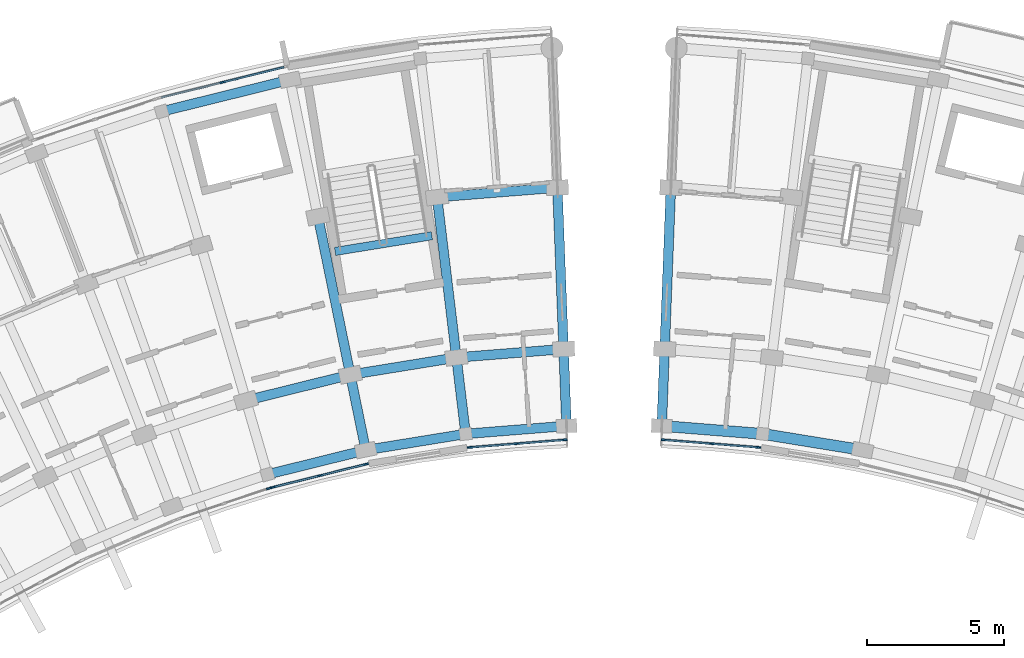
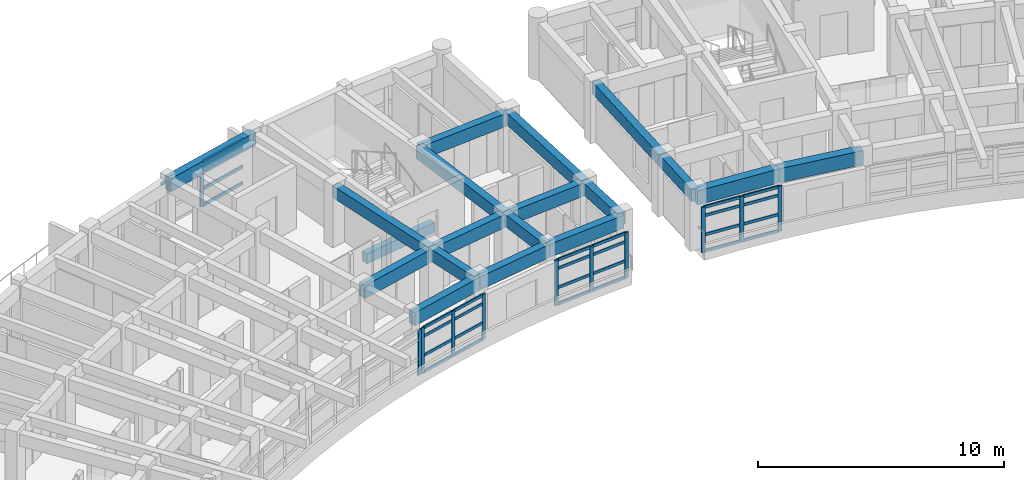
# One storey, part 6 of 55: 40 members, 19 beams, 5 elements without a shape of their own.
"""IFC4 building model written with IfcOpenShell, lengths in metres."""

from ifc_helpers import new_model, si_unit, direction, frame, origin, origin_2d, place, context, subcontext, project, spatial, rectangle, extrude, material, material_profile, profile_set, type_object, element, aggregate, save


model = new_model("IFC4")

# Units and contexts
model_context = context("Model", 3, precision=1e-05, world=origin(), true_north=direction((0.0, 1.0)))
body_context = subcontext(model_context, "Body", "Model", "MODEL_VIEW")
ifc_project = project(units=[si_unit("LENGTHUNIT", "METRE"), si_unit("AREAUNIT", "SQUARE_METRE"), si_unit("VOLUMEUNIT", "CUBIC_METRE"), si_unit("PLANEANGLEUNIT", "RADIAN"), si_unit("MASSUNIT", "GRAM", prefix="KILO")], contexts=[model_context])

# Site, building, storey
site_placement = place(None, origin())
site = spatial("IfcSite", under=ifc_project, at=site_placement, CompositionType="ELEMENT")
building_placement = place(site_placement, origin())
building = spatial("IfcBuilding", under=site, at=building_placement, Name="Zimvara Arc Housing Community", CompositionType="ELEMENT")
storey_placement = place(building_placement, frame((0.0, 0.0, 14.300048828125)))
storey = spatial("IfcBuildingStorey", under=building, at=storey_placement, Name="L04", CompositionType="ELEMENT", Elevation=14.300048828125)

# Beams
ifc_material_1 = material(Name="Concrete C40/50", Category="concrete")
ifc_material_profile_1 = material_profile(ifc_material_1, rectangle(XDim=0.300048828125, YDim=0.5, at=origin_2d()), Name="RC 300x500")
ifc_profile_set_1 = profile_set([ifc_material_profile_1], Name="Concrete C40/50")
beam_type_1 = type_object("IfcBeamType", Name="BM-RC-300x500", PredefinedType="BEAM", material=ifc_profile_set_1)
beam_1_placement = place(storey_placement, frame((38.3662109375, 96.509033203125, -0.25), z_axis=(-0.987080057935, -0.160227835371, 0.0), x_axis=(0.160227835371, -0.987080057935, 0.0)))
element("IfcBeam", 1, at=beam_1_placement, inside=storey, type_object=beam_type_1, Name="bm:stair_trim:ST-A2:L04:near", PredefinedType="BEAM", context=body_context, shape_type="SweptSolid", body=[
    extrude(rectangle(XDim=0.300048828125, YDim=0.5, at=origin_2d()), origin(), (0.0, 0.0, 1.0), 3.570068359375),
])
ifc_material_2 = material(Name="Concrete C40/50", Category="concrete")
ifc_material_profile_2 = material_profile(ifc_material_2, rectangle(XDim=0.35009765625, YDim=0.60009765625, at=origin_2d()), Name="RC 350x600")
ifc_profile_set_2 = profile_set([ifc_material_profile_2], Name="Concrete C40/50")
beam_type_2 = type_object("IfcBeamType", Name="BM-RC-350x600", PredefinedType="BEAM", material=ifc_profile_set_2)
beam_2_placement = place(storey_placement, frame((35.958251953125, 88.704833984375, 2.56005859375), z_axis=(-0.20037341071, 0.979719600845, 0.0), x_axis=(-0.979719600845, -0.20037341071, 0.0)))
element("IfcBeam", 2, at=beam_2_placement, inside=storey, type_object=beam_type_2, Name="bm:blkA:L04:rad:b8:r01", PredefinedType="BEAM", context=body_context, shape_type="SweptSolid", body=[
    extrude(rectangle(XDim=0.35009765625, YDim=0.60009765625, at=origin_2d()), origin(), (0.0, 0.0, 1.0), 2.800048828125),
])
beam_3_placement = place(storey_placement, frame((35.397216796875, 91.447998046875, 2.56005859375), z_axis=(-0.200417973989, 0.979710485655, 0.0), x_axis=(-0.979710485655, -0.200417973989, 0.0)))
element("IfcBeam", 3, at=beam_3_placement, inside=storey, type_object=beam_type_2, Name="bm:blkA:L04:rad:b8:r12", PredefinedType="BEAM", context=body_context, shape_type="SweptSolid", body=[
    extrude(rectangle(XDim=0.35009765625, YDim=0.60009765625, at=origin_2d()), origin(), (0.0, 0.0, 1.0), 5.880126953125),
])
beam_4_placement = place(storey_placement, frame((39.594970703125, 89.295166015625, 2.56005859375), z_axis=(-0.119719398078, 0.992807768767, 0.0), x_axis=(-0.992807768767, -0.119719398078, 0.0)))
element("IfcBeam", 4, at=beam_4_placement, inside=storey, type_object=beam_type_2, Name="bm:blkA:L04:rad:b9:r01", PredefinedType="BEAM", context=body_context, shape_type="SweptSolid", body=[
    extrude(rectangle(XDim=0.35009765625, YDim=0.60009765625, at=origin_2d()), origin(), (0.0, 0.0, 1.0), 2.7998046875),
])
beam_5_placement = place(storey_placement, frame((39.259765625, 92.074951171875, 2.56005859375), z_axis=(-0.119827921695, 0.992794676246, 0.0), x_axis=(-0.992794676246, -0.119827921695, 0.0)))
element("IfcBeam", 5, at=beam_5_placement, inside=storey, type_object=beam_type_2, Name="bm:blkA:L04:rad:b9:r12", PredefinedType="BEAM", context=body_context, shape_type="SweptSolid", body=[
    extrude(rectangle(XDim=0.35009765625, YDim=0.60009765625, at=origin_2d()), origin(), (0.0, 0.0, 1.0), 5.880126953125),
])
beam_6_placement = place(storey_placement, frame((43.267822265625, 89.586669921875, 2.56005859375), z_axis=(-0.038362804793, 0.999263876665, 0.0), x_axis=(-0.999263876665, -0.038362804793, 0.0)))
element("IfcBeam", 6, at=beam_6_placement, inside=storey, type_object=beam_type_2, Name="bm:blkA:L04:rad:b10:r01", PredefinedType="BEAM", context=body_context, shape_type="SweptSolid", body=[
    extrude(rectangle(XDim=0.35009765625, YDim=0.60009765625, at=origin_2d()), origin(), (0.0, 0.0, 1.0), 2.800048828125),
])
beam_7_placement = place(storey_placement, frame((43.160400390625, 92.384765625, 2.56005859375), z_axis=(-0.038366147405, 0.999263748333, 0.0), x_axis=(-0.999263748333, -0.038366147405, 0.0)))
element("IfcBeam", 7, at=beam_7_placement, inside=storey, type_object=beam_type_2, Name="bm:blkA:L04:rad:b10:r12", PredefinedType="BEAM", context=body_context, shape_type="SweptSolid", body=[
    extrude(rectangle(XDim=0.35009765625, YDim=0.60009765625, at=origin_2d()), origin(), (0.0, 0.0, 1.0), 5.8798828125),
])
beam_8_placement = place(storey_placement, frame((46.732177734375, 89.586669921875, 2.56005859375), z_axis=(0.038362804793, 0.999263876665, 0.0), x_axis=(-0.999263876665, 0.038362804793, 0.0)))
element("IfcBeam", 8, at=beam_8_placement, inside=storey, type_object=beam_type_2, Name="bm:blkB:L04:rad:b0:r01", PredefinedType="BEAM", context=body_context, shape_type="SweptSolid", body=[
    extrude(rectangle(XDim=0.35009765625, YDim=0.60009765625, at=origin_2d()), origin(), (0.0, 0.0, 1.0), 2.800048828125),
])
beam_9_placement = place(storey_placement, frame((46.839599609375, 92.384765625, 2.56005859375), z_axis=(0.038366147405, 0.999263748333, 0.0), x_axis=(-0.999263748333, 0.038366147405, 0.0)))
element("IfcBeam", 9, at=beam_9_placement, inside=storey, type_object=beam_type_2, Name="bm:blkB:L04:rad:b0:r12", PredefinedType="BEAM", context=body_context, shape_type="SweptSolid", body=[
    extrude(rectangle(XDim=0.35009765625, YDim=0.60009765625, at=origin_2d()), origin(), (0.0, 0.0, 1.0), 5.8798828125),
])
ifc_material_3 = material(Name="Concrete C40/50", Category="concrete")
ifc_material_profile_3 = material_profile(ifc_material_3, rectangle(XDim=0.35009765625, YDim=0.64990234375, at=origin_2d()), Name="RC 350x650")
ifc_profile_set_3 = profile_set([ifc_material_profile_3], Name="Concrete C40/50")
beam_type_3 = type_object("IfcBeamType", Name="BM-RC-350x650", PredefinedType="BEAM", material=ifc_profile_set_3)
beam_10_placement = place(storey_placement, frame((32.381591796875, 87.819580078125, 2.534912109375), z_axis=(0.970708886215, 0.240258731837, 0.0), x_axis=(-0.240258731837, 0.970708886215, 0.0)))
element("IfcBeam", 10, at=beam_10_placement, inside=storey, type_object=beam_type_3, Name="bm:blkA:L04:chord:r0:b7", PredefinedType="BEAM", context=body_context, shape_type="SweptSolid", body=[
    extrude(rectangle(XDim=0.35009765625, YDim=0.64990234375, at=origin_2d()), origin(), (0.0, 0.0, 1.0), 3.6845703125),
])
for number, where, z_axis, x_axis, name in (
    (11, (35.958251953125, 88.704833984375, 2.534912109375), (0.987079996944, 0.160228211104, 0.0), (-0.160228211104, 0.987079996944, 0.0), "bm:blkA:L04:chord:r0:b8"),
    (12, (39.594970703125, 89.295166015625, 2.534912109375), (0.996865226667, 0.079118391428, 0.0), (-0.079118391428, 0.996865226667, 0.0), "bm:blkA:L04:chord:r0:b9"),
):
    element("IfcBeam", number, at=place(storey_placement, frame(where, z_axis=z_axis, x_axis=x_axis)), inside=storey, type_object=beam_type_3, Name=name, PredefinedType="BEAM", context=body_context, shape_type="SweptSolid", body=[
        extrude(rectangle(XDim=0.35009765625, YDim=0.64990234375, at=origin_2d()), origin(), (0.0, 0.0, 1.0), 3.684326171875),
    ])
for number, where, z_axis, x_axis, name in (
    (13, (31.5986328125, 90.5078125, 2.534912109375), (0.970708671682, 0.240259598602, 0.0), (-0.240259598602, 0.970708671682, 0.0), "bm:blkA:L04:chord:r1:b7"),
    (14, (35.397216796875, 91.447998046875, 2.534912109375), (0.987081487371, 0.160219029111, 0.0), (-0.160219029111, 0.987081487371, 0.0), "bm:blkA:L04:chord:r1:b8"),
):
    element("IfcBeam", number, at=place(storey_placement, frame(where, z_axis=z_axis, x_axis=x_axis)), inside=storey, type_object=beam_type_3, Name=name, PredefinedType="BEAM", context=body_context, shape_type="SweptSolid", body=[
        extrude(rectangle(XDim=0.35009765625, YDim=0.64990234375, at=origin_2d()), origin(), (0.0, 0.0, 1.0), 3.9130859375),
    ])
beam_11_placement = place(storey_placement, frame((39.259765625, 92.074951171875, 2.534912109375), z_axis=(0.99686054795, 0.079177319606, 0.0), x_axis=(-0.079177319606, 0.99686054795, 0.0)))
element("IfcBeam", 15, at=beam_11_placement, inside=storey, type_object=beam_type_3, Name="bm:blkA:L04:chord:r1:b9", PredefinedType="BEAM", context=body_context, shape_type="SweptSolid", body=[
    extrude(rectangle(XDim=0.35009765625, YDim=0.64990234375, at=origin_2d()), origin(), (0.0, 0.0, 1.0), 3.912841796875),
])
beam_12_placement = place(storey_placement, frame((38.55517578125, 97.91259765625, 2.534912109375), z_axis=(0.996864209836, 0.079131202119, 0.0), x_axis=(-0.079131202119, 0.996864209836, 0.0)))
element("IfcBeam", 16, at=beam_12_placement, inside=storey, type_object=beam_type_3, Name="bm:blkA:L04:chord:r2:b9", PredefinedType="BEAM", context=body_context, shape_type="SweptSolid", body=[
    extrude(rectangle(XDim=0.35009765625, YDim=0.64990234375, at=origin_2d()), origin(), (0.0, 0.0, 1.0), 4.393310546875),
])
beam_13_placement = place(storey_placement, frame((28.533447265625, 101.030517578125, 2.534912109375), z_axis=(0.970716235341, 0.240229037474, 0.0), x_axis=(-0.240229037474, 0.970716235341, 0.0)))
element("IfcBeam", 17, at=beam_13_placement, inside=storey, type_object=beam_type_3, Name="bm:blkA:L04:chord:r3:b7", PredefinedType="BEAM", context=body_context, shape_type="SweptSolid", body=[
    extrude(rectangle(XDim=0.35009765625, YDim=0.64990234375, at=origin_2d()), origin(), (0.0, 0.0, 1.0), 4.80810546875),
])
ifc_material_4 = material(Name="Concrete C40/50", Category="concrete")
ifc_material_profile_4 = material_profile(ifc_material_4, rectangle(XDim=0.39990234375, YDim=0.699951171875, at=origin_2d()), Name="RC 400x700")
ifc_profile_set_4 = profile_set([ifc_material_profile_4], Name="Concrete C40/50")
beam_type_4 = type_object("IfcBeamType", Name="BM-RC-400x700", PredefinedType="BEAM", material=ifc_profile_set_4)
for number, where, z_axis, x_axis, name in (
    (18, (46.732177734375, 89.586669921875, 2.510009765625), (0.996865226667, -0.079118391428, 0.0), (0.079118391428, 0.996865226667, 0.0), "bm:blkB:L04:chord:r0:b0"),
    (19, (50.405029296875, 89.295166015625, 2.510009765625), (0.987079996944, -0.160228211104, 0.0), (0.160228211104, 0.987079996944, 0.0), "bm:blkB:L04:chord:r0:b1"),
):
    element("IfcBeam", number, at=place(storey_placement, frame(where, z_axis=z_axis, x_axis=x_axis)), inside=storey, type_object=beam_type_4, Name=name, PredefinedType="BEAM", context=body_context, shape_type="SweptSolid", body=[
        extrude(rectangle(XDim=0.39990234375, YDim=0.699951171875, at=origin_2d()), origin(), (0.0, 0.0, 1.0), 3.684326171875),
    ])

# Curtain wall, member
ifc_material_5 = material(Name="Anodised Aluminium AW-6063", Category="aluminium")
curtain_wall_type_1 = type_object("IfcCurtainWallType", Name="CW-SYS-06", PredefinedType="USERDEFINED", material=ifc_material_5)
curtain_wall_1_placement = place(storey_placement, origin())
curtain_wall_1 = element("IfcCurtainWall", 20, at=curtain_wall_1_placement, inside=storey, type_object=curtain_wall_type_1, Name="cw:blkA:L04:in:b6", ObjectType="CURTAIN WALL", PredefinedType="USERDEFINED")
ifc_material_6 = material(Name="Anodised Aluminium AW-6063", Category="aluminium")
ifc_material_profile_5 = material_profile(ifc_material_6, rectangle(XDim=0.06494140625, YDim=0.179931640625, at=origin_2d()), Name="ALU 65x180")
ifc_profile_set_5 = profile_set([ifc_material_profile_5], Name="Anodised Aluminium AW-6063")
member_type_1 = type_object("IfcMemberType", Name="CWM-65x150", PredefinedType="MULLION", material=ifc_profile_set_5)
member_1_placement = place(storey_placement, frame((32.433837890625, 87.31005859375, 0.0), z_axis=(0.0, 0.0, 1.0), x_axis=(-0.318630249383, 0.94787908732, 0.0)))
member_1 = element("IfcMember", 21, at=member_1_placement, type_object=member_type_1, Name="CW06 mullion 3", PredefinedType="MULLION", context=body_context, shape_type="SweptSolid", body=[
    extrude(rectangle(XDim=0.06494140625, YDim=0.179931640625, at=origin_2d()), origin(), (0.0, 0.0, 1.0), 2.25),
])
aggregate(curtain_wall_1, [member_1])

# Curtain wall, members
ifc_material_7 = material(Name="Anodised Aluminium AW-6063", Category="aluminium")
curtain_wall_type_2 = type_object("IfcCurtainWallType", Name="CW-SYS-08", PredefinedType="USERDEFINED", material=ifc_material_7)
curtain_wall_2_placement = place(storey_placement, origin())
curtain_wall_2 = element("IfcCurtainWall", 22, at=curtain_wall_2_placement, inside=storey, type_object=curtain_wall_type_2, Name="cw:blkA:L04:in:b7", ObjectType="CURTAIN WALL", PredefinedType="USERDEFINED")
member_2_placement = place(storey_placement, frame((32.611328125, 87.36181640625, 0.0), z_axis=(0.0, 0.0, 1.0), x_axis=(-0.240227815706, 0.970716537698, 0.0)))
member_2 = element("IfcMember", 23, at=member_2_placement, type_object=member_type_1, Name="CW08 mullion 1", PredefinedType="MULLION", context=body_context, shape_type="SweptSolid", body=[
    extrude(rectangle(XDim=0.06494140625, YDim=0.179931640625, at=origin_2d()), origin(), (0.0, 0.0, 1.0), 2.25),
])
member_3_placement = place(storey_placement, frame((34.2900390625, 87.77734375, 0.0), z_axis=(0.0, 0.0, 1.0), x_axis=(-0.240227815706, 0.970716537698, 0.0)))
member_3 = element("IfcMember", 24, at=member_3_placement, type_object=member_type_1, Name="CW08 mullion 2", PredefinedType="MULLION", context=body_context, shape_type="SweptSolid", body=[
    extrude(rectangle(XDim=0.06494140625, YDim=0.179931640625, at=origin_2d()), origin(), (0.0, 0.0, 1.0), 2.25),
])
member_4_placement = place(storey_placement, frame((35.96875, 88.192626953125, 0.0), z_axis=(0.0, 0.0, 1.0), x_axis=(-0.240227815706, 0.970716537698, 0.0)))
member_4 = element("IfcMember", 25, at=member_4_placement, type_object=member_type_1, Name="CW08 mullion 3", PredefinedType="MULLION", context=body_context, shape_type="SweptSolid", body=[
    extrude(rectangle(XDim=0.06494140625, YDim=0.179931640625, at=origin_2d()), origin(), (0.0, 0.0, 1.0), 2.25),
])

ifc_material_8 = material(Name="Anodised Aluminium AW-6063", Category="aluminium")
curtain_wall_type_3 = type_object("IfcCurtainWallType", Name="CW-SYS-02", PredefinedType="USERDEFINED", material=ifc_material_8)
curtain_wall_3_placement = place(storey_placement, origin())
curtain_wall_3 = element("IfcCurtainWall", 26, at=curtain_wall_3_placement, inside=storey, type_object=curtain_wall_type_3, Name="cw:blkA:L04:in:b9", ObjectType="CURTAIN WALL", PredefinedType="USERDEFINED")
member_5_placement = place(storey_placement, frame((39.7470703125, 88.805908203125, 0.0), z_axis=(0.0, 0.0, 1.0), x_axis=(-0.079154709897, 0.996862343506, 0.0)))
member_5 = element("IfcMember", 27, at=member_5_placement, type_object=member_type_1, Name="CW02 mullion 1", PredefinedType="MULLION", context=body_context, shape_type="SweptSolid", body=[
    extrude(rectangle(XDim=0.06494140625, YDim=0.179931640625, at=origin_2d()), origin(), (0.0, 0.0, 1.0), 2.25),
])
member_6_placement = place(storey_placement, frame((41.470947265625, 88.94287109375, 0.0), z_axis=(0.0, 0.0, 1.0), x_axis=(-0.079154709897, 0.996862343506, 0.0)))
member_6 = element("IfcMember", 28, at=member_6_placement, type_object=member_type_1, Name="CW02 mullion 2", PredefinedType="MULLION", context=body_context, shape_type="SweptSolid", body=[
    extrude(rectangle(XDim=0.06494140625, YDim=0.179931640625, at=origin_2d()), origin(), (0.0, 0.0, 1.0), 2.25),
])
member_7_placement = place(storey_placement, frame((43.19482421875, 89.079833984375, 0.0), z_axis=(0.0, 0.0, 1.0), x_axis=(-0.079154709897, 0.996862343506, 0.0)))
member_7 = element("IfcMember", 29, at=member_7_placement, type_object=member_type_1, Name="CW02 mullion 3", PredefinedType="MULLION", context=body_context, shape_type="SweptSolid", body=[
    extrude(rectangle(XDim=0.06494140625, YDim=0.179931640625, at=origin_2d()), origin(), (0.0, 0.0, 1.0), 2.25),
])

curtain_wall_4_placement = place(storey_placement, origin())
curtain_wall_4 = element("IfcCurtainWall", 30, at=curtain_wall_4_placement, inside=storey, type_object=curtain_wall_type_1, Name="cw:blkB:L04:in:b0", ObjectType="CURTAIN WALL", PredefinedType="USERDEFINED")
member_8_placement = place(storey_placement, frame((46.80517578125, 89.079833984375, 0.0), z_axis=(0.0, 0.0, 1.0), x_axis=(0.079154709897, 0.996862343506, 0.0)))
member_8 = element("IfcMember", 31, at=member_8_placement, type_object=member_type_1, Name="CW06 mullion 1", PredefinedType="MULLION", context=body_context, shape_type="SweptSolid", body=[
    extrude(rectangle(XDim=0.06494140625, YDim=0.179931640625, at=origin_2d()), origin(), (0.0, 0.0, 1.0), 2.25),
])
member_9_placement = place(storey_placement, frame((48.529052734375, 88.94287109375, 0.0), z_axis=(0.0, 0.0, 1.0), x_axis=(0.079154709897, 0.996862343506, 0.0)))
member_9 = element("IfcMember", 32, at=member_9_placement, type_object=member_type_1, Name="CW06 mullion 2", PredefinedType="MULLION", context=body_context, shape_type="SweptSolid", body=[
    extrude(rectangle(XDim=0.06494140625, YDim=0.179931640625, at=origin_2d()), origin(), (0.0, 0.0, 1.0), 2.25),
])
member_10_placement = place(storey_placement, frame((50.2529296875, 88.805908203125, 0.0), z_axis=(0.0, 0.0, 1.0), x_axis=(0.079154709897, 0.996862343506, 0.0)))
member_10 = element("IfcMember", 33, at=member_10_placement, type_object=member_type_1, Name="CW06 mullion 3", PredefinedType="MULLION", context=body_context, shape_type="SweptSolid", body=[
    extrude(rectangle(XDim=0.06494140625, YDim=0.179931640625, at=origin_2d()), origin(), (0.0, 0.0, 1.0), 2.25),
])

# Curtain wall, member
ifc_material_9 = material(Name="Anodised Aluminium AW-6063", Category="aluminium")
curtain_wall_type_4 = type_object("IfcCurtainWallType", Name="CW-SYS-07", PredefinedType="USERDEFINED", material=ifc_material_9)
curtain_wall_5_placement = place(storey_placement, origin())
curtain_wall_5 = element("IfcCurtainWall", 34, at=curtain_wall_5_placement, inside=storey, type_object=curtain_wall_type_4, Name="cw:blkA:L04:out:b7", ObjectType="CURTAIN WALL", PredefinedType="USERDEFINED")
ifc_material_10 = material(Name="Anodised Aluminium AW-6063", Category="aluminium")
ifc_material_profile_6 = material_profile(ifc_material_10, rectangle(XDim=0.06494140625, YDim=0.195068359375, at=origin_2d()), Name="ALU 65x195")
ifc_profile_set_6 = profile_set([ifc_material_profile_6], Name="Anodised Aluminium AW-6063")
member_type_2 = type_object("IfcMemberType", Name="CWM-65x180", PredefinedType="MULLION", material=ifc_profile_set_6)
member_11_placement = place(storey_placement, frame((30.7470703125, 102.093017578125, 0.0), z_axis=(0.0, 0.0, 1.0), x_axis=(-0.240229711131, 0.970716068627, 0.0)))
member_11 = element("IfcMember", 35, at=member_11_placement, type_object=member_type_2, Name="CW07 mullion 2", PredefinedType="MULLION", context=body_context, shape_type="SweptSolid", body=[
    extrude(rectangle(XDim=0.06494140625, YDim=0.195068359375, at=origin_2d()), origin(), (0.0, 0.0, 1.0), 2.25),
])

# Member
ifc_material_11 = material(Name="Anodised Aluminium AW-6063", Category="aluminium")
ifc_material_profile_7 = material_profile(ifc_material_11, rectangle(XDim=0.06494140625, YDim=0.139892578125, at=origin_2d()), Name="ALU 65x140")
ifc_profile_set_7 = profile_set([ifc_material_profile_7], Name="Anodised Aluminium AW-6063")
member_type_3 = type_object("IfcMemberType", Name="CWT-65x120", PredefinedType="USERDEFINED", material=ifc_profile_set_7)
member_12_placement = place(storey_placement, frame((32.642822265625, 87.36962890625, 0.032470703125), z_axis=(0.970700809973, 0.24029135964, 0.0), x_axis=(-0.24029135964, 0.970700809973, 0.0)))
member_12 = element("IfcMember", 36, at=member_12_placement, type_object=member_type_3, Name="CW08 transom 1.1", ObjectType="TRANSOM", PredefinedType="USERDEFINED", context=body_context, shape_type="SweptSolid", body=[
    extrude(rectangle(XDim=0.06494140625, YDim=0.139892578125, at=origin_2d()), origin(), (0.0, 0.0, 1.0), 1.664306640625),
])

member_13_placement = place(storey_placement, frame((32.642822265625, 87.36962890625, 0.849853515625), z_axis=(0.970700809973, 0.24029135964, 0.0), x_axis=(-0.24029135964, 0.970700809973, 0.0)))
member_13 = element("IfcMember", 37, at=member_13_placement, type_object=member_type_3, Name="CW08 transom 1.2", ObjectType="TRANSOM", PredefinedType="USERDEFINED", context=body_context, shape_type="SweptSolid", body=[
    extrude(rectangle(XDim=0.06494140625, YDim=0.139892578125, at=origin_2d()), origin(), (0.0, 0.0, 1.0), 1.664306640625),
])

member_14_placement = place(storey_placement, frame((32.642822265625, 87.36962890625, 1.800048828125), z_axis=(0.970700809973, 0.24029135964, 0.0), x_axis=(-0.24029135964, 0.970700809973, 0.0)))
member_14 = element("IfcMember", 38, at=member_14_placement, type_object=member_type_3, Name="CW08 transom 1.3", ObjectType="TRANSOM", PredefinedType="USERDEFINED", context=body_context, shape_type="SweptSolid", body=[
    extrude(rectangle(XDim=0.06494140625, YDim=0.139892578125, at=origin_2d()), origin(), (0.0, 0.0, 1.0), 1.664306640625),
])

member_15_placement = place(storey_placement, frame((32.642822265625, 87.36962890625, 2.217529296875), z_axis=(0.970700809973, 0.24029135964, 0.0), x_axis=(-0.24029135964, 0.970700809973, 0.0)))
member_15 = element("IfcMember", 39, at=member_15_placement, type_object=member_type_3, Name="CW08 transom 1.4", ObjectType="TRANSOM", PredefinedType="USERDEFINED", context=body_context, shape_type="SweptSolid", body=[
    extrude(rectangle(XDim=0.06494140625, YDim=0.139892578125, at=origin_2d()), origin(), (0.0, 0.0, 1.0), 1.664306640625),
])

member_16_placement = place(storey_placement, frame((34.321533203125, 87.78515625, 0.032470703125), z_axis=(0.970735018799, 0.240153124645, 0.0), x_axis=(-0.240153124645, 0.970735018799, 0.0)))
member_16 = element("IfcMember", 40, at=member_16_placement, type_object=member_type_3, Name="CW08 transom 2.1", ObjectType="TRANSOM", PredefinedType="USERDEFINED", context=body_context, shape_type="SweptSolid", body=[
    extrude(rectangle(XDim=0.06494140625, YDim=0.139892578125, at=origin_2d()), origin(), (0.0, 0.0, 1.0), 1.6640625),
])

member_17_placement = place(storey_placement, frame((34.321533203125, 87.78515625, 0.849853515625), z_axis=(0.970735018799, 0.240153124645, 0.0), x_axis=(-0.240153124645, 0.970735018799, 0.0)))
member_17 = element("IfcMember", 41, at=member_17_placement, type_object=member_type_3, Name="CW08 transom 2.2", ObjectType="TRANSOM", PredefinedType="USERDEFINED", context=body_context, shape_type="SweptSolid", body=[
    extrude(rectangle(XDim=0.06494140625, YDim=0.139892578125, at=origin_2d()), origin(), (0.0, 0.0, 1.0), 1.6640625),
])

member_18_placement = place(storey_placement, frame((34.321533203125, 87.78515625, 1.800048828125), z_axis=(0.970735018799, 0.240153124645, 0.0), x_axis=(-0.240153124645, 0.970735018799, 0.0)))
member_18 = element("IfcMember", 42, at=member_18_placement, type_object=member_type_3, Name="CW08 transom 2.3", ObjectType="TRANSOM", PredefinedType="USERDEFINED", context=body_context, shape_type="SweptSolid", body=[
    extrude(rectangle(XDim=0.06494140625, YDim=0.139892578125, at=origin_2d()), origin(), (0.0, 0.0, 1.0), 1.6640625),
])

member_19_placement = place(storey_placement, frame((34.321533203125, 87.78515625, 2.217529296875), z_axis=(0.970735018799, 0.240153124645, 0.0), x_axis=(-0.240153124645, 0.970735018799, 0.0)))
member_19 = element("IfcMember", 43, at=member_19_placement, type_object=member_type_3, Name="CW08 transom 2.4", ObjectType="TRANSOM", PredefinedType="USERDEFINED", context=body_context, shape_type="SweptSolid", body=[
    extrude(rectangle(XDim=0.06494140625, YDim=0.139892578125, at=origin_2d()), origin(), (0.0, 0.0, 1.0), 1.6640625),
])

aggregate(curtain_wall_2, [member_2, member_3, member_4, member_12, member_13, member_14, member_15, member_16, member_17, member_18, member_19])

member_20_placement = place(storey_placement, frame((39.779541015625, 88.80859375, 0.032470703125), z_axis=(0.99685804311, 0.079208849806, 0.0), x_axis=(-0.079208849806, 0.99685804311, 0.0)))
member_20 = element("IfcMember", 44, at=member_20_placement, type_object=member_type_3, Name="CW02 transom 1.1", ObjectType="TRANSOM", PredefinedType="USERDEFINED", context=body_context, shape_type="SweptSolid", body=[
    extrude(rectangle(XDim=0.06494140625, YDim=0.139892578125, at=origin_2d()), origin(), (0.0, 0.0, 1.0), 1.664306640625),
])

member_21_placement = place(storey_placement, frame((39.779541015625, 88.80859375, 0.849853515625), z_axis=(0.99685804311, 0.079208849806, 0.0), x_axis=(-0.079208849806, 0.99685804311, 0.0)))
member_21 = element("IfcMember", 45, at=member_21_placement, type_object=member_type_3, Name="CW02 transom 1.2", ObjectType="TRANSOM", PredefinedType="USERDEFINED", context=body_context, shape_type="SweptSolid", body=[
    extrude(rectangle(XDim=0.06494140625, YDim=0.139892578125, at=origin_2d()), origin(), (0.0, 0.0, 1.0), 1.664306640625),
])

member_22_placement = place(storey_placement, frame((39.779541015625, 88.80859375, 1.800048828125), z_axis=(0.99685804311, 0.079208849806, 0.0), x_axis=(-0.079208849806, 0.99685804311, 0.0)))
member_22 = element("IfcMember", 46, at=member_22_placement, type_object=member_type_3, Name="CW02 transom 1.3", ObjectType="TRANSOM", PredefinedType="USERDEFINED", context=body_context, shape_type="SweptSolid", body=[
    extrude(rectangle(XDim=0.06494140625, YDim=0.139892578125, at=origin_2d()), origin(), (0.0, 0.0, 1.0), 1.664306640625),
])

member_23_placement = place(storey_placement, frame((39.779541015625, 88.80859375, 2.217529296875), z_axis=(0.99685804311, 0.079208849806, 0.0), x_axis=(-0.079208849806, 0.99685804311, 0.0)))
member_23 = element("IfcMember", 47, at=member_23_placement, type_object=member_type_3, Name="CW02 transom 1.4", ObjectType="TRANSOM", PredefinedType="USERDEFINED", context=body_context, shape_type="SweptSolid", body=[
    extrude(rectangle(XDim=0.06494140625, YDim=0.139892578125, at=origin_2d()), origin(), (0.0, 0.0, 1.0), 1.664306640625),
])

member_24_placement = place(storey_placement, frame((41.50341796875, 88.945556640625, 0.032470703125), z_axis=(0.996869614678, 0.079063084507, 0.0), x_axis=(-0.079063084507, 0.996869614678, 0.0)))
member_24 = element("IfcMember", 48, at=member_24_placement, type_object=member_type_3, Name="CW02 transom 2.1", ObjectType="TRANSOM", PredefinedType="USERDEFINED", context=body_context, shape_type="SweptSolid", body=[
    extrude(rectangle(XDim=0.06494140625, YDim=0.139892578125, at=origin_2d()), origin(), (0.0, 0.0, 1.0), 1.664306640625),
])

member_25_placement = place(storey_placement, frame((41.50341796875, 88.945556640625, 0.849853515625), z_axis=(0.996869614678, 0.079063084507, 0.0), x_axis=(-0.079063084507, 0.996869614678, 0.0)))
member_25 = element("IfcMember", 49, at=member_25_placement, type_object=member_type_3, Name="CW02 transom 2.2", ObjectType="TRANSOM", PredefinedType="USERDEFINED", context=body_context, shape_type="SweptSolid", body=[
    extrude(rectangle(XDim=0.06494140625, YDim=0.139892578125, at=origin_2d()), origin(), (0.0, 0.0, 1.0), 1.664306640625),
])

member_26_placement = place(storey_placement, frame((41.50341796875, 88.945556640625, 1.800048828125), z_axis=(0.996869614678, 0.079063084507, 0.0), x_axis=(-0.079063084507, 0.996869614678, 0.0)))
member_26 = element("IfcMember", 50, at=member_26_placement, type_object=member_type_3, Name="CW02 transom 2.3", ObjectType="TRANSOM", PredefinedType="USERDEFINED", context=body_context, shape_type="SweptSolid", body=[
    extrude(rectangle(XDim=0.06494140625, YDim=0.139892578125, at=origin_2d()), origin(), (0.0, 0.0, 1.0), 1.664306640625),
])

member_27_placement = place(storey_placement, frame((41.50341796875, 88.945556640625, 2.217529296875), z_axis=(0.996869614678, 0.079063084507, 0.0), x_axis=(-0.079063084507, 0.996869614678, 0.0)))
member_27 = element("IfcMember", 51, at=member_27_placement, type_object=member_type_3, Name="CW02 transom 2.4", ObjectType="TRANSOM", PredefinedType="USERDEFINED", context=body_context, shape_type="SweptSolid", body=[
    extrude(rectangle(XDim=0.06494140625, YDim=0.139892578125, at=origin_2d()), origin(), (0.0, 0.0, 1.0), 1.664306640625),
])

aggregate(curtain_wall_3, [member_5, member_6, member_7, member_20, member_21, member_22, member_23, member_24, member_25, member_26, member_27])

member_28_placement = place(storey_placement, frame((46.83740234375, 89.0771484375, 0.032470703125), z_axis=(0.996869614678, -0.079063084507, 0.0), x_axis=(0.079063084507, 0.996869614678, 0.0)))
member_28 = element("IfcMember", 52, at=member_28_placement, type_object=member_type_3, Name="CW06 transom 1.1", ObjectType="TRANSOM", PredefinedType="USERDEFINED", context=body_context, shape_type="SweptSolid", body=[
    extrude(rectangle(XDim=0.06494140625, YDim=0.139892578125, at=origin_2d()), origin(), (0.0, 0.0, 1.0), 1.664306640625),
])

member_29_placement = place(storey_placement, frame((46.83740234375, 89.0771484375, 0.849853515625), z_axis=(0.996869614678, -0.079063084507, 0.0), x_axis=(0.079063084507, 0.996869614678, 0.0)))
member_29 = element("IfcMember", 53, at=member_29_placement, type_object=member_type_3, Name="CW06 transom 1.2", ObjectType="TRANSOM", PredefinedType="USERDEFINED", context=body_context, shape_type="SweptSolid", body=[
    extrude(rectangle(XDim=0.06494140625, YDim=0.139892578125, at=origin_2d()), origin(), (0.0, 0.0, 1.0), 1.664306640625),
])

member_30_placement = place(storey_placement, frame((46.83740234375, 89.0771484375, 1.800048828125), z_axis=(0.996869614678, -0.079063084507, 0.0), x_axis=(0.079063084507, 0.996869614678, 0.0)))
member_30 = element("IfcMember", 54, at=member_30_placement, type_object=member_type_3, Name="CW06 transom 1.3", ObjectType="TRANSOM", PredefinedType="USERDEFINED", context=body_context, shape_type="SweptSolid", body=[
    extrude(rectangle(XDim=0.06494140625, YDim=0.139892578125, at=origin_2d()), origin(), (0.0, 0.0, 1.0), 1.664306640625),
])

member_31_placement = place(storey_placement, frame((46.83740234375, 89.0771484375, 2.217529296875), z_axis=(0.996869614678, -0.079063084507, 0.0), x_axis=(0.079063084507, 0.996869614678, 0.0)))
member_31 = element("IfcMember", 55, at=member_31_placement, type_object=member_type_3, Name="CW06 transom 1.4", ObjectType="TRANSOM", PredefinedType="USERDEFINED", context=body_context, shape_type="SweptSolid", body=[
    extrude(rectangle(XDim=0.06494140625, YDim=0.139892578125, at=origin_2d()), origin(), (0.0, 0.0, 1.0), 1.664306640625),
])

member_32_placement = place(storey_placement, frame((48.561279296875, 88.9404296875, 0.032470703125), z_axis=(0.99685804311, -0.079208849806, 0.0), x_axis=(0.079208849806, 0.99685804311, 0.0)))
member_32 = element("IfcMember", 56, at=member_32_placement, type_object=member_type_3, Name="CW06 transom 2.1", ObjectType="TRANSOM", PredefinedType="USERDEFINED", context=body_context, shape_type="SweptSolid", body=[
    extrude(rectangle(XDim=0.06494140625, YDim=0.139892578125, at=origin_2d()), origin(), (0.0, 0.0, 1.0), 1.664306640625),
])

member_33_placement = place(storey_placement, frame((48.561279296875, 88.9404296875, 0.849853515625), z_axis=(0.99685804311, -0.079208849806, 0.0), x_axis=(0.079208849806, 0.99685804311, 0.0)))
member_33 = element("IfcMember", 57, at=member_33_placement, type_object=member_type_3, Name="CW06 transom 2.2", ObjectType="TRANSOM", PredefinedType="USERDEFINED", context=body_context, shape_type="SweptSolid", body=[
    extrude(rectangle(XDim=0.06494140625, YDim=0.139892578125, at=origin_2d()), origin(), (0.0, 0.0, 1.0), 1.664306640625),
])

member_34_placement = place(storey_placement, frame((48.561279296875, 88.9404296875, 1.800048828125), z_axis=(0.99685804311, -0.079208849806, 0.0), x_axis=(0.079208849806, 0.99685804311, 0.0)))
member_34 = element("IfcMember", 58, at=member_34_placement, type_object=member_type_3, Name="CW06 transom 2.3", ObjectType="TRANSOM", PredefinedType="USERDEFINED", context=body_context, shape_type="SweptSolid", body=[
    extrude(rectangle(XDim=0.06494140625, YDim=0.139892578125, at=origin_2d()), origin(), (0.0, 0.0, 1.0), 1.664306640625),
])

member_35_placement = place(storey_placement, frame((48.561279296875, 88.9404296875, 2.217529296875), z_axis=(0.99685804311, -0.079208849806, 0.0), x_axis=(0.079208849806, 0.99685804311, 0.0)))
member_35 = element("IfcMember", 59, at=member_35_placement, type_object=member_type_3, Name="CW06 transom 2.4", ObjectType="TRANSOM", PredefinedType="USERDEFINED", context=body_context, shape_type="SweptSolid", body=[
    extrude(rectangle(XDim=0.06494140625, YDim=0.139892578125, at=origin_2d()), origin(), (0.0, 0.0, 1.0), 1.664306640625),
])

aggregate(curtain_wall_4, [member_8, member_9, member_10, member_28, member_29, member_30, member_31, member_32, member_33, member_34, member_35])

ifc_material_12 = material(Name="Anodised Aluminium AW-6063", Category="aluminium")
ifc_material_profile_8 = material_profile(ifc_material_12, rectangle(XDim=0.06494140625, YDim=0.155029296875, at=origin_2d()), Name="ALU 65x155")
ifc_profile_set_8 = profile_set([ifc_material_profile_8], Name="Anodised Aluminium AW-6063")
member_type_4 = type_object("IfcMemberType", Name="CWT-65x140", PredefinedType="USERDEFINED", material=ifc_profile_set_8)
member_36_placement = place(storey_placement, frame((28.51513671875, 101.540771484375, 2.217529296875), z_axis=(0.970728837212, 0.240178110172, 0.0), x_axis=(-0.240178110172, 0.970728837212, 0.0)))
member_36 = element("IfcMember", 60, at=member_36_placement, type_object=member_type_4, Name="CW07 transom 1.4", ObjectType="TRANSOM", PredefinedType="USERDEFINED", context=body_context, shape_type="SweptSolid", body=[
    extrude(rectangle(XDim=0.06494140625, YDim=0.155029296875, at=origin_2d()), origin(), (0.0, 0.0, 1.0), 2.266845703125),
])

member_37_placement = place(storey_placement, frame((30.77880859375, 102.100830078125, 0.032470703125), z_axis=(0.970703721793, 0.240279596507, 0.0), x_axis=(-0.240279596507, 0.970703721793, 0.0)))
member_37 = element("IfcMember", 61, at=member_37_placement, type_object=member_type_4, Name="CW07 transom 2.1", ObjectType="TRANSOM", PredefinedType="USERDEFINED", context=body_context, shape_type="SweptSolid", body=[
    extrude(rectangle(XDim=0.06494140625, YDim=0.155029296875, at=origin_2d()), origin(), (0.0, 0.0, 1.0), 2.266845703125),
])

member_38_placement = place(storey_placement, frame((30.77880859375, 102.100830078125, 0.849853515625), z_axis=(0.970703721793, 0.240279596507, 0.0), x_axis=(-0.240279596507, 0.970703721793, 0.0)))
member_38 = element("IfcMember", 62, at=member_38_placement, type_object=member_type_4, Name="CW07 transom 2.2", ObjectType="TRANSOM", PredefinedType="USERDEFINED", context=body_context, shape_type="SweptSolid", body=[
    extrude(rectangle(XDim=0.06494140625, YDim=0.155029296875, at=origin_2d()), origin(), (0.0, 0.0, 1.0), 2.266845703125),
])

member_39_placement = place(storey_placement, frame((30.77880859375, 102.100830078125, 1.800048828125), z_axis=(0.970703721793, 0.240279596507, 0.0), x_axis=(-0.240279596507, 0.970703721793, 0.0)))
member_39 = element("IfcMember", 63, at=member_39_placement, type_object=member_type_4, Name="CW07 transom 2.3", ObjectType="TRANSOM", PredefinedType="USERDEFINED", context=body_context, shape_type="SweptSolid", body=[
    extrude(rectangle(XDim=0.06494140625, YDim=0.155029296875, at=origin_2d()), origin(), (0.0, 0.0, 1.0), 2.266845703125),
])

member_40_placement = place(storey_placement, frame((30.77880859375, 102.100830078125, 2.217529296875), z_axis=(0.970703721793, 0.240279596507, 0.0), x_axis=(-0.240279596507, 0.970703721793, 0.0)))
member_40 = element("IfcMember", 64, at=member_40_placement, type_object=member_type_4, Name="CW07 transom 2.4", ObjectType="TRANSOM", PredefinedType="USERDEFINED", context=body_context, shape_type="SweptSolid", body=[
    extrude(rectangle(XDim=0.06494140625, YDim=0.155029296875, at=origin_2d()), origin(), (0.0, 0.0, 1.0), 2.266845703125),
])

aggregate(curtain_wall_5, [member_11, member_36, member_37, member_38, member_39, member_40])

save(model, "model.ifc")
